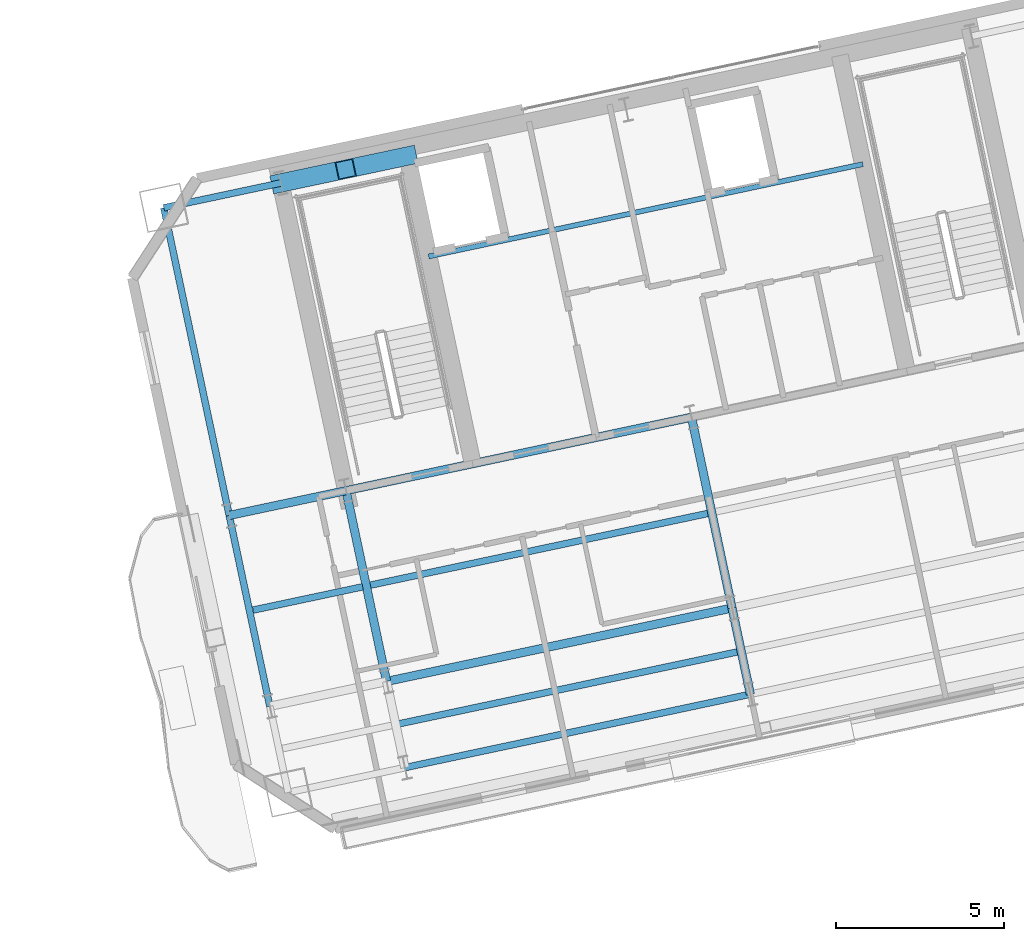
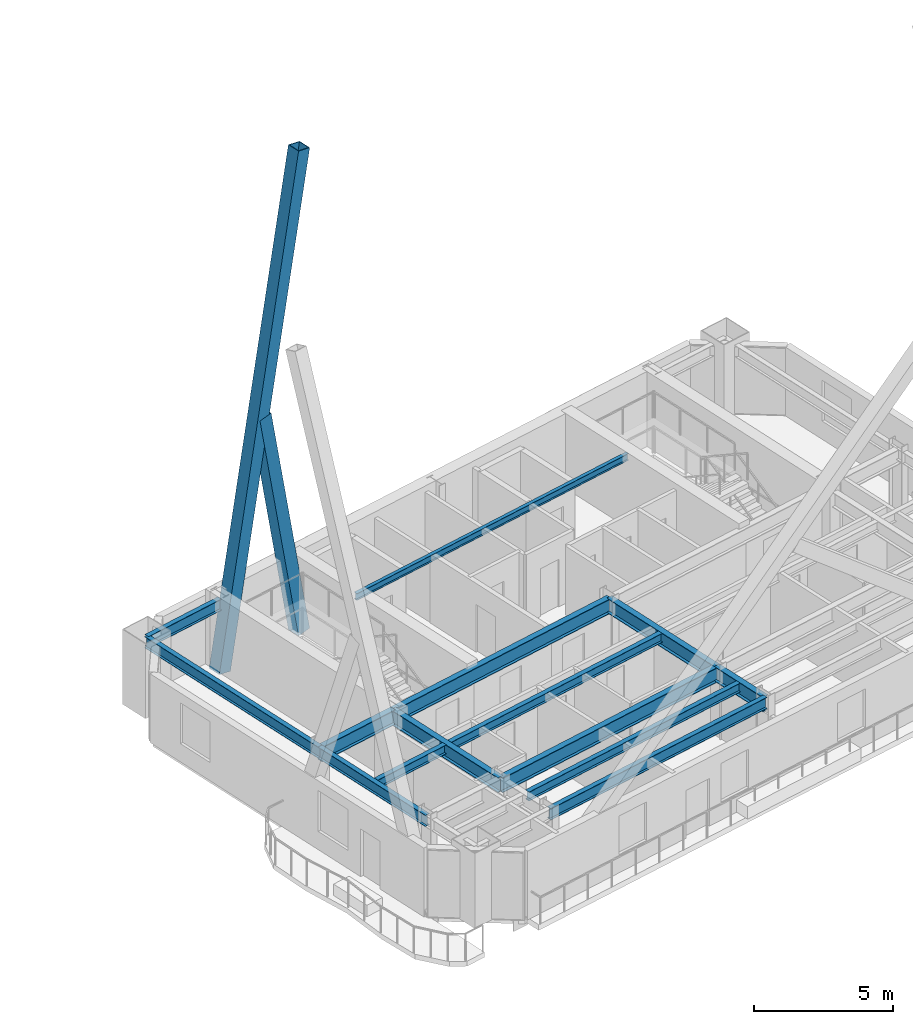
# One storey, part 4 of 20: 14 beams, 2 members.
"""IFC4 building model written with IfcOpenShell, lengths in metres."""

from ifc_helpers import new_model, si_unit, direction, frame, origin, origin_2d, place, context, subcontext, project, spatial, hollow_rectangle, i_section, extrude, material, material_profile, profile_set, type_object, element, save


model = new_model("IFC4")

# Units and contexts
model_context = context("Model", 3, precision=1e-05, world=origin(), true_north=direction((0.0, 1.0)))
body_context = subcontext(model_context, "Body", "Model", "MODEL_VIEW")
ifc_project = project(units=[si_unit("LENGTHUNIT", "METRE"), si_unit("AREAUNIT", "SQUARE_METRE"), si_unit("VOLUMEUNIT", "CUBIC_METRE"), si_unit("PLANEANGLEUNIT", "RADIAN"), si_unit("MASSUNIT", "GRAM", prefix="KILO")], contexts=[model_context])

# Site, building, storey
site_placement = place(None, origin())
site = spatial("IfcSite", under=ifc_project, at=site_placement, CompositionType="ELEMENT")
building_placement = place(site_placement, origin())
building = spatial("IfcBuilding", under=site, at=building_placement, Name="Haevon Station Towers", CompositionType="ELEMENT")
storey_placement = place(building_placement, frame((0.0, 0.0, 175.800048828125)))
storey = spatial("IfcBuildingStorey", under=building, at=storey_placement, Name="L48", CompositionType="ELEMENT", Elevation=175.800048828125)

# Beams
ifc_material_1 = material(Name="Steel S355", Category="steel")
ifc_material_profile_1 = material_profile(ifc_material_1, i_section(OverallWidth=0.25, OverallDepth=0.64990234375, WebThickness=0.012939453125, FlangeThickness=0.02197265625, at=origin_2d()), Name="H-650x250x13x22")
ifc_profile_set_1 = profile_set([ifc_material_profile_1], Name="Steel S355")
beam_type_1 = type_object("IfcBeamType", Name="BM-G650", PredefinedType="BEAM", material=ifc_profile_set_1)
beam_1_placement = place(storey_placement, frame((99.958251953125, 31.76904296875, 2.724853515625), z_axis=(0.978146794194, 0.207915485254, 0.0), x_axis=(-0.207915485254, 0.978146794194, 0.0)))
element("IfcBeam", 1, at=beam_1_placement, inside=storey, type_object=beam_type_1, Name="BM-T2U-L48-02-02", PredefinedType="BEAM", context=body_context, shape_type="SweptSolid", body=[
    extrude(i_section(OverallWidth=0.25, OverallDepth=0.64990234375, WebThickness=0.012939453125, FlangeThickness=0.02197265625, at=origin_2d()), origin(), (0.0, 0.0, 1.0), 10.5),
])
beam_2_placement = place(storey_placement, frame((95.280029296875, 36.704345703125, 2.724853515625), z_axis=(0.978150285663, 0.207899058817, 0.0), x_axis=(-0.207899058817, 0.978150285663, 0.0)))
element("IfcBeam", 2, at=beam_2_placement, inside=storey, type_object=beam_type_1, Name="BM-T2U-L48-03-01", PredefinedType="BEAM", context=body_context, shape_type="SweptSolid", body=[
    extrude(i_section(OverallWidth=0.25, OverallDepth=0.64990234375, WebThickness=0.012939453125, FlangeThickness=0.02197265625, at=origin_2d()), origin(), (0.0, 0.0, 1.0), 3.550048828125),
])
beam_3_placement = place(storey_placement, frame((98.75244140625, 37.4423828125, 2.724853515625), z_axis=(0.978146794194, 0.207915485254, 0.0), x_axis=(-0.207915485254, 0.978146794194, 0.0)))
element("IfcBeam", 3, at=beam_3_placement, inside=storey, type_object=beam_type_1, Name="BM-T2U-L48-03-02", PredefinedType="BEAM", context=body_context, shape_type="SweptSolid", body=[
    extrude(i_section(OverallWidth=0.25, OverallDepth=0.64990234375, WebThickness=0.012939453125, FlangeThickness=0.02197265625, at=origin_2d()), origin(), (0.0, 0.0, 1.0), 10.5),
])
beam_4_placement = place(storey_placement, frame((99.958251953125, 31.76904296875, 2.724853515625), z_axis=(-0.207896009217, 0.97815093383, 0.0), x_axis=(-0.97815093383, -0.207896009217, 0.0)))
element("IfcBeam", 4, at=beam_4_placement, inside=storey, type_object=beam_type_1, Name="BM-T2V-L48-02-02", PredefinedType="BEAM", context=body_context, shape_type="SweptSolid", body=[
    extrude(i_section(OverallWidth=0.25, OverallDepth=0.64990234375, WebThickness=0.012939453125, FlangeThickness=0.02197265625, at=origin_2d()), origin(), (0.0, 0.0, 1.0), 5.800048828125),
])
beam_5_placement = place(storey_placement, frame((110.7734375, 31.389404296875, 2.724853515625), z_axis=(-0.207893304367, 0.978151508714, 0.0), x_axis=(-0.978151508714, -0.207893304367, 0.0)))
element("IfcBeam", 5, at=beam_5_placement, inside=storey, type_object=beam_type_1, Name="BM-T2V-L48-03-01", PredefinedType="BEAM", context=body_context, shape_type="SweptSolid", body=[
    extrude(i_section(OverallWidth=0.25, OverallDepth=0.64990234375, WebThickness=0.012939453125, FlangeThickness=0.02197265625, at=origin_2d()), origin(), (0.0, 0.0, 1.0), 2.619873046875),
])
beam_6_placement = place(storey_placement, frame((110.228759765625, 33.9521484375, 2.724853515625), z_axis=(-0.207896009217, 0.97815093383, 0.0), x_axis=(-0.97815093383, -0.207896009217, 0.0)))
element("IfcBeam", 6, at=beam_6_placement, inside=storey, type_object=beam_type_1, Name="BM-T2V-L48-03-02", PredefinedType="BEAM", context=body_context, shape_type="SweptSolid", body=[
    extrude(i_section(OverallWidth=0.25, OverallDepth=0.64990234375, WebThickness=0.012939453125, FlangeThickness=0.02197265625, at=origin_2d()), origin(), (0.0, 0.0, 1.0), 5.800048828125),
])
ifc_material_profile_2 = material_profile(ifc_material_1, i_section(OverallWidth=0.199951171875, OverallDepth=0.39990234375, WebThickness=0.008056640625, FlangeThickness=0.012939453125, at=origin_2d()), Name="H-400x200x8x13")
ifc_profile_set_2 = profile_set([ifc_material_profile_2], Name="Steel S355")
beam_type_2 = type_object("IfcBeamType", Name="BM-J400", PredefinedType="JOIST", material=ifc_profile_set_2)
beam_7_placement = place(storey_placement, frame((100.338134765625, 30.5107421875, 2.849853515625), z_axis=(0.978150339653, 0.207898804801, 0.0), x_axis=(-0.207898804801, 0.978150339653, 0.0)))
element("IfcBeam", 7, at=beam_7_placement, inside=storey, type_object=beam_type_2, Name="BM-T2J-L48-01-02", PredefinedType="JOIST", context=body_context, shape_type="SweptSolid", body=[
    extrude(i_section(OverallWidth=0.199951171875, OverallDepth=0.39990234375, WebThickness=0.008056640625, FlangeThickness=0.012939453125, at=origin_2d()), origin(), (0.0, 0.0, 1.0), 10.280029296875),
])
beam_8_placement = place(storey_placement, frame((95.990478515625, 33.890625, 2.849853515625), z_axis=(0.978146551768, 0.207916625754, 0.0), x_axis=(-0.207916625754, 0.978146551768, 0.0)))
element("IfcBeam", 8, at=beam_8_placement, inside=storey, type_object=beam_type_2, Name="BM-T2J-L48-02-01", PredefinedType="JOIST", context=body_context, shape_type="SweptSolid", body=[
    extrude(i_section(OverallWidth=0.199951171875, OverallDepth=0.39990234375, WebThickness=0.008056640625, FlangeThickness=0.012939453125, at=origin_2d()), origin(), (0.0, 0.0, 1.0), 3.330078125),
])
beam_9_placement = place(storey_placement, frame((99.462890625, 34.628662109375, 2.849853515625), z_axis=(0.978150339653, 0.207898804801, 0.0), x_axis=(-0.207898804801, 0.978150339653, 0.0)))
element("IfcBeam", 9, at=beam_9_placement, inside=storey, type_object=beam_type_2, Name="BM-T2J-L48-02-02", PredefinedType="JOIST", context=body_context, shape_type="SweptSolid", body=[
    extrude(i_section(OverallWidth=0.199951171875, OverallDepth=0.39990234375, WebThickness=0.008056640625, FlangeThickness=0.012939453125, at=origin_2d()), origin(), (0.0, 0.0, 1.0), 10.280029296875),
])
ifc_material_profile_3 = material_profile(ifc_material_1, i_section(OverallWidth=0.14990234375, OverallDepth=0.300048828125, WebThickness=0.006591796875, FlangeThickness=0.009033203125, at=origin_2d()), Name="H-300x150x6.5x9")
ifc_profile_set_3 = profile_set([ifc_material_profile_3], Name="Steel S355")
beam_type_3 = type_object("IfcBeamType", Name="BM-LIN300", PredefinedType="LINTEL", material=ifc_profile_set_3)
beam_10_placement = place(storey_placement, frame((101.20849609375, 44.4052734375, 2.89990234375), z_axis=(0.978147802964, 0.207910739399, 0.0), x_axis=(-0.207910739399, 0.978147802964, 0.0)))
element("IfcBeam", 10, at=beam_10_placement, inside=storey, type_object=beam_type_3, Name="BM-T2LIN-L48", PredefinedType="LINTEL", context=body_context, shape_type="SweptSolid", body=[
    extrude(i_section(OverallWidth=0.14990234375, OverallDepth=0.300048828125, WebThickness=0.006591796875, FlangeThickness=0.009033203125, at=origin_2d()), origin(), (0.0, 0.0, 1.0), 13.19970703125),
])
ifc_material_profile_4 = material_profile(ifc_material_1, i_section(OverallWidth=0.199951171875, OverallDepth=0.5, WebThickness=0.010009765625, FlangeThickness=0.01611328125, at=origin_2d()), Name="H-500x200x10x16")
ifc_profile_set_4 = profile_set([ifc_material_profile_4], Name="Steel S355")
beam_type_4 = type_object("IfcBeamType", Name="BM-SP500", PredefinedType="SPANDREL", material=ifc_profile_set_4)
beam_11_placement = place(storey_placement, frame((100.5029296875, 29.206298828125, 2.800048828125), z_axis=(0.978146794194, 0.207915485254, 0.0), x_axis=(-0.207915485254, 0.978146794194, 0.0)))
element("IfcBeam", 11, at=beam_11_placement, inside=storey, type_object=beam_type_4, Name="BM-T2U-L48-01-02", PredefinedType="SPANDREL", context=body_context, shape_type="SweptSolid", body=[
    extrude(i_section(OverallWidth=0.199951171875, OverallDepth=0.5, WebThickness=0.010009765625, FlangeThickness=0.01611328125, at=origin_2d()), origin(), (0.0, 0.0, 1.0), 10.5),
])
beam_12_placement = place(storey_placement, frame((93.3359375, 45.85009765625, 2.800048828125), z_axis=(0.978150285663, 0.207899058817, 0.0), x_axis=(-0.207899058817, 0.978150285663, 0.0)))
element("IfcBeam", 12, at=beam_12_placement, inside=storey, type_object=beam_type_4, Name="BM-T2U-L48-04-01", PredefinedType="SPANDREL", context=body_context, shape_type="SweptSolid", body=[
    extrude(i_section(OverallWidth=0.199951171875, OverallDepth=0.5, WebThickness=0.010009765625, FlangeThickness=0.01611328125, at=origin_2d()), origin(), (0.0, 0.0, 1.0), 3.550048828125),
])
beam_13_placement = place(storey_placement, frame((96.48583984375, 31.031005859375, 2.800048828125), z_axis=(-0.207896009217, 0.97815093383, 0.0), x_axis=(-0.97815093383, -0.207896009217, 0.0)))
element("IfcBeam", 13, at=beam_13_placement, inside=storey, type_object=beam_type_4, Name="BM-T2V-L48-01-02", PredefinedType="SPANDREL", context=body_context, shape_type="SweptSolid", body=[
    extrude(i_section(OverallWidth=0.199951171875, OverallDepth=0.5, WebThickness=0.010009765625, FlangeThickness=0.01611328125, at=origin_2d()), origin(), (0.0, 0.0, 1.0), 5.800048828125),
])
beam_14_placement = place(storey_placement, frame((95.280029296875, 36.704345703125, 2.800048828125), z_axis=(-0.207922149488, 0.978145377616, 0.0), x_axis=(-0.978145377616, -0.207922149488, 0.0)))
element("IfcBeam", 14, at=beam_14_placement, inside=storey, type_object=beam_type_4, Name="BM-T2V-L48-01-03", PredefinedType="SPANDREL", context=body_context, shape_type="SweptSolid", body=[
    extrude(i_section(OverallWidth=0.199951171875, OverallDepth=0.5, WebThickness=0.010009765625, FlangeThickness=0.01611328125, at=origin_2d()), origin(), (0.0, 0.0, 1.0), 9.35009765625),
])

# Members
ifc_material_2 = material(Name="Steel S460", Category="steel")
ifc_material_profile_5 = material_profile(ifc_material_2, hollow_rectangle(XDim=0.550048828125, YDim=0.550048828125, WallThickness=0.028076171875, at=origin_2d()), Name="RHS-550x550x28")
ifc_profile_set_5 = profile_set([ifc_material_profile_5], Name="Steel S460")
member_type = type_object("IfcMemberType", Name="MB-550", PredefinedType="BRACE", material=ifc_profile_set_5)
member_1_placement = place(storey_placement, frame((96.808349609375, 46.588134765625, -0.1201171875), z_axis=(0.174219558311, 0.037035068506, 0.984010136738), x_axis=(-0.207930804564, 0.978143537786, 0.0)))
element("IfcMember", 15, at=member_1_placement, inside=storey, type_object=member_type, Name="BR-T2MB-T07-N-D1", PredefinedType="BRACE", context=body_context, shape_type="SweptSolid", body=[
    extrude(hollow_rectangle(XDim=0.550048828125, YDim=0.550048828125, WallThickness=0.028076171875, at=origin_2d()), origin(), (0.0, 0.0, 1.0), 21.61572265625),
])
member_2_placement = place(storey_placement, frame((100.57421875, 47.388671875, -0.1201171875), z_axis=(-0.174227370897, -0.037036079375, 0.984008715436), x_axis=(0.207927313623, -0.978144279874, 0.0)))
element("IfcMember", 16, at=member_2_placement, inside=storey, type_object=member_type, Name="BR-T2MB-T07-N-D2A", PredefinedType="BRACE", context=body_context, shape_type="SweptSolid", body=[
    extrude(hollow_rectangle(XDim=0.550048828125, YDim=0.550048828125, WallThickness=0.028076171875, at=origin_2d()), origin(), (0.0, 0.0, 1.0), 10.520751953125),
])

save(model, "model.ifc")
